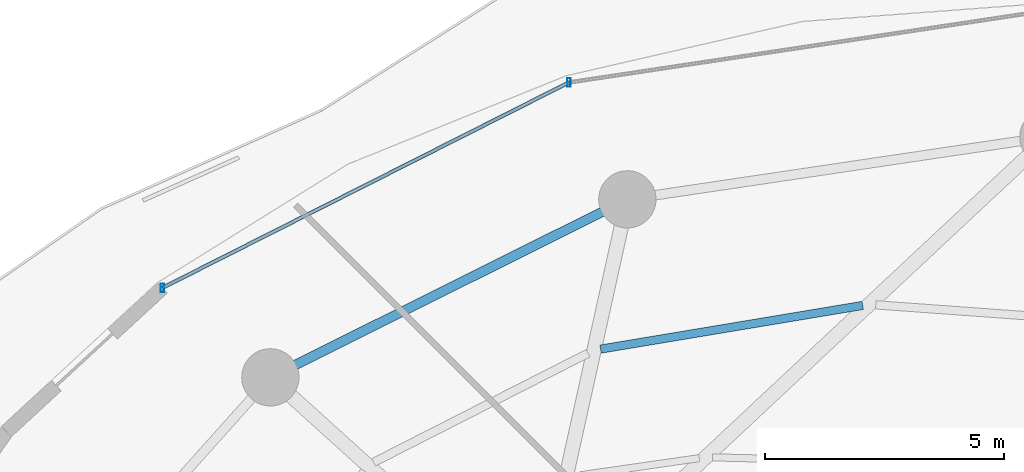
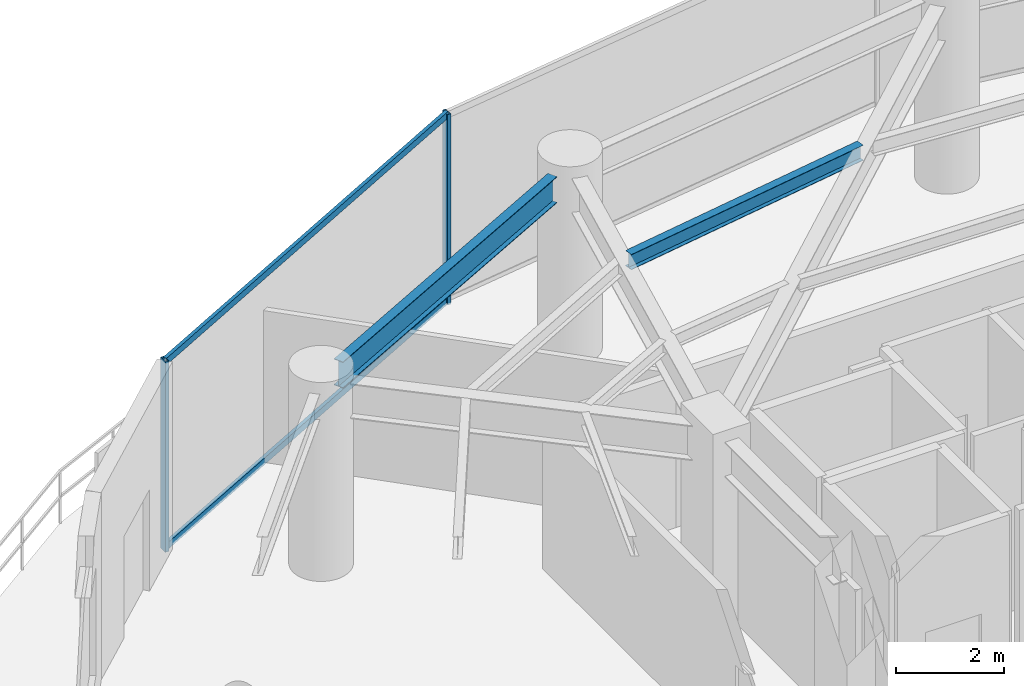
# One storey, part 15 of 27: 4 members, 2 beams, 1 element without a shape of its own.
"""IFC4 building model written with IfcOpenShell, lengths in metres."""

from ifc_helpers import new_model, si_unit, direction, frame, origin, origin_2d, place, context, subcontext, project, spatial, hollow_rectangle, i_section, extrude, material, material_profile, profile_set, type_object, element, aggregate, save


model = new_model("IFC4")

# Units and contexts
model_context = context("Model", 3, precision=1e-05, world=origin(), true_north=direction((0.0, 1.0)))
body_context = subcontext(model_context, "Body", "Model", "MODEL_VIEW")
ifc_project = project(units=[si_unit("LENGTHUNIT", "METRE"), si_unit("AREAUNIT", "SQUARE_METRE"), si_unit("VOLUMEUNIT", "CUBIC_METRE"), si_unit("PLANEANGLEUNIT", "RADIAN"), si_unit("MASSUNIT", "GRAM", prefix="KILO")], contexts=[model_context])

# Site, building, storey
site_placement = place(None, origin())
site = spatial("IfcSite", under=ifc_project, at=site_placement, CompositionType="ELEMENT")
building_placement = place(site_placement, origin())
building = spatial("IfcBuilding", under=site, at=building_placement, Name="Vorneva Point Tower", CompositionType="ELEMENT")
storey_placement = place(building_placement, frame((0.0, 0.0, 74.300048828125)))
storey = spatial("IfcBuildingStorey", under=building, at=storey_placement, Name="L19", CompositionType="ELEMENT", Elevation=74.300048828125)

# Beams
ifc_material_1 = material(Name="Steel S355", Category="steel")
ifc_material_profile_1 = material_profile(ifc_material_1, i_section(OverallWidth=0.174072265625, OverallDepth=0.345947265625, WebThickness=0.006103515625, FlangeThickness=0.009033203125, at=origin_2d()), Name="35B1")
ifc_profile_set_1 = profile_set([ifc_material_profile_1], Name="Steel S355")
beam_type_1 = type_object("IfcBeamType", Name="BM-SEC-35B1", PredefinedType="BEAM", material=ifc_profile_set_1)
beam_1_placement = place(storey_placement, frame((34.110595703125, 39.66845703125, 4.06689453125), z_axis=(-0.986419981302, -0.164242566004, 0.0), x_axis=(0.164242566004, -0.986419981302, 0.0)))
element("IfcBeam", 1, at=beam_1_placement, inside=storey, type_object=beam_type_1, Name="L19 Secondary Floor Beam 1.05", PredefinedType="BEAM", context=body_context, shape_type="SweptSolid", body=[
    extrude(i_section(OverallWidth=0.174072265625, OverallDepth=0.345947265625, WebThickness=0.006103515625, FlangeThickness=0.009033203125, at=origin_2d()), origin(), (0.0, 0.0, 1.0), 5.568359375),
])
ifc_material_profile_2 = material_profile(ifc_material_1, i_section(OverallWidth=0.198974609375, OverallDepth=0.595947265625, WebThickness=0.010009765625, FlangeThickness=0.014892578125, at=origin_2d()), Name="60B1")
ifc_profile_set_2 = profile_set([ifc_material_profile_2], Name="Steel S355")
beam_type_2 = type_object("IfcBeamType", Name="BM-SPN-60B1", PredefinedType="SPANDREL", material=ifc_profile_set_2)
beam_2_placement = place(storey_placement, frame((28.655517578125, 41.629638671875, 3.94189453125), z_axis=(-0.894922668731, -0.446221264611, 0.0), x_axis=(0.446221264611, -0.894922668731, 0.0)))
element("IfcBeam", 2, at=beam_2_placement, inside=storey, type_object=beam_type_2, Name="L19 Perimeter Spandrel Ring Beam 06", PredefinedType="SPANDREL", context=body_context, shape_type="SweptSolid", body=[
    extrude(i_section(OverallWidth=0.198974609375, OverallDepth=0.595947265625, WebThickness=0.010009765625, FlangeThickness=0.014892578125, at=origin_2d()), origin(), (0.0, 0.0, 1.0), 7.18603515625),
])

# Curtain wall, members
ifc_material_2 = material(Name="Pale anodised aluminium", Category="aluminium")
curtain_wall_type = type_object("IfcCurtainWallType", Name="CW-SKY-SYS", PredefinedType="NOTDEFINED", material=ifc_material_2)
curtain_wall_placement = place(storey_placement, origin())
curtain_wall = element("IfcCurtainWall", 3, at=curtain_wall_placement, inside=storey, type_object=curtain_wall_type, Name="L19 Unitised Curtain Wall CW-L19-R02", PredefinedType="NOTDEFINED")
ifc_material_profile_3 = material_profile(ifc_material_2, hollow_rectangle(XDim=0.074951171875, YDim=0.179931640625, WallThickness=0.00390625, at=origin_2d()), Name="AL-MUL 180x75x4")
ifc_profile_set_3 = profile_set([ifc_material_profile_3], Name="Pale anodised aluminium")
member_type_1 = type_object("IfcMemberType", Name="CW-MUL-180", PredefinedType="MULLION", material=ifc_profile_set_3)
member_1_placement = place(storey_placement, frame((27.95458984375, 44.339111328125, -0.0400390625), z_axis=(0.0, 0.0, 1.0), x_axis=(1.0, 0.0, 0.0)))
member_1 = element("IfcMember", 4, at=member_1_placement, type_object=member_type_1, Name="CW-L19-R02 Mullion 04", PredefinedType="MULLION", context=body_context, shape_type="SweptSolid", body=[
    extrude(hollow_rectangle(XDim=0.074951171875, YDim=0.179931640625, WallThickness=0.00390625, at=origin_2d()), origin(), (0.0, 0.0, 1.0), 4.31005859375),
])
member_2_placement = place(storey_placement, frame((19.4384765625, 40.0361328125, -0.0400390625), z_axis=(0.0, 0.0, 1.0), x_axis=(1.0, 0.0, 0.0)))
member_2 = element("IfcMember", 5, at=member_2_placement, type_object=member_type_1, Name="CW-L19-R02 Mullion 05", PredefinedType="MULLION", context=body_context, shape_type="SweptSolid", body=[
    extrude(hollow_rectangle(XDim=0.074951171875, YDim=0.179931640625, WallThickness=0.00390625, at=origin_2d()), origin(), (0.0, 0.0, 1.0), 4.31005859375),
])
ifc_material_profile_4 = material_profile(ifc_material_2, hollow_rectangle(XDim=0.074951171875, YDim=0.14990234375, WallThickness=0.00390625, at=origin_2d()), Name="AL-TRN 150x75x4")
ifc_profile_set_4 = profile_set([ifc_material_profile_4], Name="Pale anodised aluminium")
member_type_2 = type_object("IfcMemberType", Name="CW-TRN-150", PredefinedType="USERDEFINED", material=ifc_profile_set_4)
member_3_placement = place(storey_placement, frame((27.95458984375, 44.339111328125, 0.02001953125), z_axis=(-0.892536035732, -0.450976080207, 0.0), x_axis=(0.450976080207, -0.892536035732, 0.0)))
member_3 = element("IfcMember", 6, at=member_3_placement, type_object=member_type_2, Name="CW-L19-R02 Transom 04.1", ObjectType="TRANSOM", PredefinedType="USERDEFINED", context=body_context, shape_type="SweptSolid", body=[
    extrude(hollow_rectangle(XDim=0.074951171875, YDim=0.14990234375, WallThickness=0.00390625, at=origin_2d()), origin(), (0.0, 0.0, 1.0), 9.54150390625),
])
member_4_placement = place(storey_placement, frame((27.95458984375, 44.339111328125, 4.219970703125), z_axis=(-0.892536035732, -0.450976080207, 0.0), x_axis=(0.450976080207, -0.892536035732, 0.0)))
member_4 = element("IfcMember", 7, at=member_4_placement, type_object=member_type_2, Name="CW-L19-R02 Transom 04.2", ObjectType="TRANSOM", PredefinedType="USERDEFINED", context=body_context, shape_type="SweptSolid", body=[
    extrude(hollow_rectangle(XDim=0.074951171875, YDim=0.14990234375, WallThickness=0.00390625, at=origin_2d()), origin(), (0.0, 0.0, 1.0), 9.54150390625),
])
aggregate(curtain_wall, [member_1, member_2, member_3, member_4])

save(model, "model.ifc")
